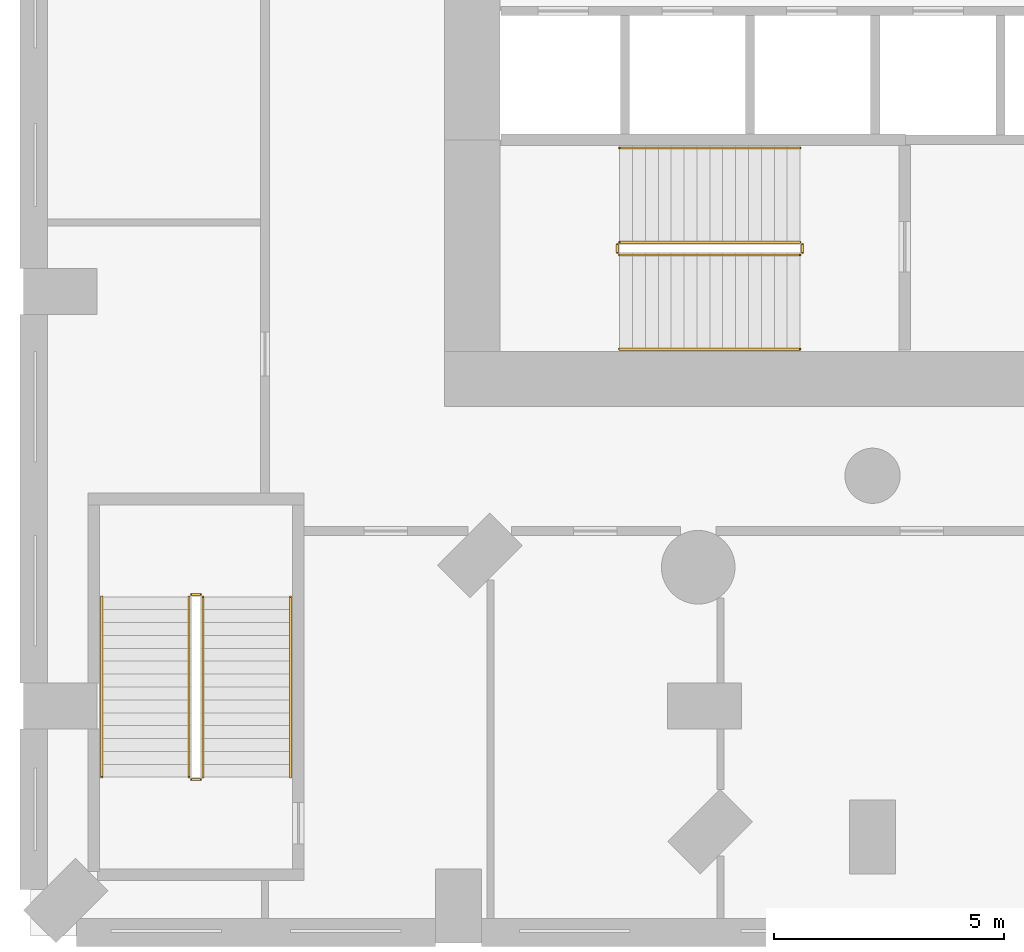
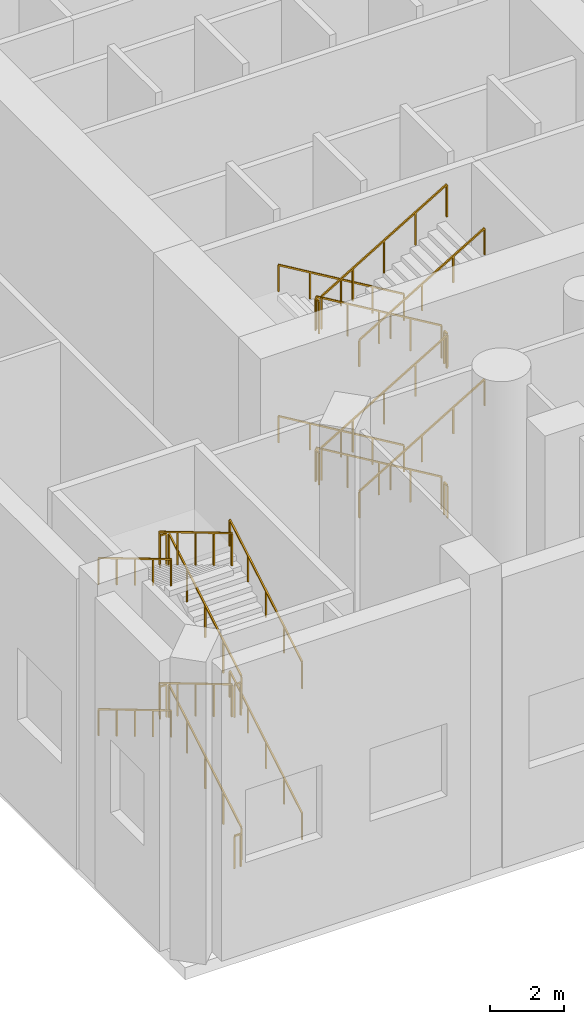
# One storey, part 14 of 17: 24 railings.
"""IFC4 building model written with IfcOpenShell, lengths in metres."""

from ifc_helpers import new_model, si_unit, direction, frame, origin, origin_2d, place, context, subcontext, project, spatial, rectangle, extrude, material, type_object, element, save


model = new_model("IFC4")

# Units and contexts
model_context = context("Model", 3, precision=1e-05, world=origin(), true_north=direction((0.0, 1.0)))
body_context = subcontext(model_context, "Body", "Model", "MODEL_VIEW")
ifc_project = project(units=[si_unit("LENGTHUNIT", "METRE"), si_unit("AREAUNIT", "SQUARE_METRE"), si_unit("VOLUMEUNIT", "CUBIC_METRE"), si_unit("PLANEANGLEUNIT", "RADIAN"), si_unit("MASSUNIT", "GRAM", prefix="KILO")], contexts=[model_context])

# Site, building, storey
site_placement = place(None, origin())
site = spatial("IfcSite", under=ifc_project, at=site_placement, CompositionType="ELEMENT")
building_placement = place(site_placement, origin())
building = spatial("IfcBuilding", under=site, at=building_placement, Name="Cypress Arch Tower", CompositionType="ELEMENT")
storey_placement = place(building_placement, frame((0.0, 0.0, 19.0)))
storey = spatial("IfcBuildingStorey", under=building, at=storey_placement, Name="L02", CompositionType="ELEMENT", Elevation=19.0)

# Railings
ifc_material_1 = material(Name="Black powder-coated steel square bar 48 mm", Category="steel")
railing_type_1 = type_object("IfcRailingType", Name="Stair handrail HR1", PredefinedType="HANDRAIL", material=ifc_material_1)
railing_1_placement = place(storey_placement, frame((-22.27490234375, -10.375, 0.166748046875)))
element("IfcRailing", 1, at=railing_1_placement, inside=storey, type_object=railing_type_1, Name="L02 A stair handrail 1", PredefinedType="HANDRAIL", context=body_context, shape_type="SweptSolid", body=[
    extrude(rectangle(XDim=0.048095703125, YDim=0.048095703125, at=origin_2d()), frame((0.0, 0.0, 0.8759765625), z_axis=(-0.859310244771, 0.0, 0.511454693235), x_axis=(0.0, -1.0, 0.0)), (0.0, 0.0, 1.0), 4.56201171875),
    extrude(rectangle(XDim=0.0419921875, YDim=0.0419921875, at=origin_2d()), origin(), (0.0, 0.0, 1.0), 0.851806640625),
    extrude(rectangle(XDim=0.0419921875, YDim=0.0419921875, at=origin_2d()), frame((-0.97998046875, 0.0, 0.583251953125)), (0.0, 0.0, 1.0), 0.851806640625),
    extrude(rectangle(XDim=0.0419921875, YDim=0.0419921875, at=origin_2d()), frame((-1.9599609375, 0.0, 1.16650390625)), (0.0, 0.0, 1.0), 0.851806640625),
    extrude(rectangle(XDim=0.0419921875, YDim=0.0419921875, at=origin_2d()), frame((-2.940185546875, 0.0, 1.75)), (0.0, 0.0, 1.0), 0.851806640625),
    extrude(rectangle(XDim=0.0419921875, YDim=0.0419921875, at=origin_2d()), frame((-3.920166015625, 0.0, 2.333251953125)), (0.0, 0.0, 1.0), 0.851806640625),
])
railing_2_placement = place(storey_placement, frame((-26.195068359375, -14.75, 2.666748046875)))
element("IfcRailing", 2, at=railing_2_placement, inside=storey, type_object=railing_type_1, Name="L02 A stair handrail 2", PredefinedType="HANDRAIL", context=body_context, shape_type="SweptSolid", body=[
    extrude(rectangle(XDim=0.048095703125, YDim=0.048095703125, at=origin_2d()), frame((0.0, 0.0, 0.8759765625), z_axis=(0.859310244771, 0.0, 0.511454693235), x_axis=(0.0, 1.0, 0.0)), (0.0, 0.0, 1.0), 4.56201171875),
    extrude(rectangle(XDim=0.0419921875, YDim=0.0419921875, at=origin_2d()), origin(), (0.0, 0.0, 1.0), 0.851806640625),
    extrude(rectangle(XDim=0.0419921875, YDim=0.0419921875, at=origin_2d()), frame((0.97998046875, 0.0, 0.583251953125)), (0.0, 0.0, 1.0), 0.851806640625),
    extrude(rectangle(XDim=0.0419921875, YDim=0.0419921875, at=origin_2d()), frame((1.9599609375, 0.0, 1.16650390625)), (0.0, 0.0, 1.0), 0.851806640625),
    extrude(rectangle(XDim=0.0419921875, YDim=0.0419921875, at=origin_2d()), frame((2.940185546875, 0.0, 1.75)), (0.0, 0.0, 1.0), 0.851806640625),
    extrude(rectangle(XDim=0.0419921875, YDim=0.0419921875, at=origin_2d()), frame((3.920166015625, 0.0, 2.333251953125)), (0.0, 0.0, 1.0), 0.851806640625),
])
railing_3_placement = place(storey_placement, frame((-22.27490234375, -10.375, 5.166748046875)))
element("IfcRailing", 3, at=railing_3_placement, inside=storey, type_object=railing_type_1, Name="L02 A stair handrail 3", PredefinedType="HANDRAIL", context=body_context, shape_type="SweptSolid", body=[
    extrude(rectangle(XDim=0.048095703125, YDim=0.048095703125, at=origin_2d()), frame((0.0, 0.0, 0.8759765625), z_axis=(-0.859310244771, 0.0, 0.511454693235), x_axis=(0.0, -1.0, 0.0)), (0.0, 0.0, 1.0), 4.56201171875),
    extrude(rectangle(XDim=0.0419921875, YDim=0.0419921875, at=origin_2d()), origin(), (0.0, 0.0, 1.0), 0.851806640625),
    extrude(rectangle(XDim=0.0419921875, YDim=0.0419921875, at=origin_2d()), frame((-0.97998046875, 0.0, 0.583251953125)), (0.0, 0.0, 1.0), 0.851806640625),
    extrude(rectangle(XDim=0.0419921875, YDim=0.0419921875, at=origin_2d()), frame((-1.9599609375, 0.0, 1.16650390625)), (0.0, 0.0, 1.0), 0.851806640625),
    extrude(rectangle(XDim=0.0419921875, YDim=0.0419921875, at=origin_2d()), frame((-2.940185546875, 0.0, 1.75)), (0.0, 0.0, 1.0), 0.851806640625),
    extrude(rectangle(XDim=0.0419921875, YDim=0.0419921875, at=origin_2d()), frame((-3.920166015625, 0.0, 2.333251953125)), (0.0, 0.0, 1.0), 0.851806640625),
])
railing_4_placement = place(storey_placement, frame((-26.195068359375, -14.75, 7.666748046875)))
element("IfcRailing", 4, at=railing_4_placement, inside=storey, type_object=railing_type_1, Name="L02 A stair handrail 4", PredefinedType="HANDRAIL", context=body_context, shape_type="SweptSolid", body=[
    extrude(rectangle(XDim=0.048095703125, YDim=0.048095703125, at=origin_2d()), frame((0.0, 0.0, 0.8759765625), z_axis=(0.859310244771, 0.0, 0.511454693235), x_axis=(0.0, 1.0, 0.0)), (0.0, 0.0, 1.0), 4.56201171875),
    extrude(rectangle(XDim=0.0419921875, YDim=0.0419921875, at=origin_2d()), origin(), (0.0, 0.0, 1.0), 0.851806640625),
    extrude(rectangle(XDim=0.0419921875, YDim=0.0419921875, at=origin_2d()), frame((0.97998046875, 0.0, 0.583251953125)), (0.0, 0.0, 1.0), 0.851806640625),
    extrude(rectangle(XDim=0.0419921875, YDim=0.0419921875, at=origin_2d()), frame((1.9599609375, 0.0, 1.16650390625)), (0.0, 0.0, 1.0), 0.851806640625),
    extrude(rectangle(XDim=0.0419921875, YDim=0.0419921875, at=origin_2d()), frame((2.940185546875, 0.0, 1.75)), (0.0, 0.0, 1.0), 0.851806640625),
    extrude(rectangle(XDim=0.0419921875, YDim=0.0419921875, at=origin_2d()), frame((3.920166015625, 0.0, 2.333251953125)), (0.0, 0.0, 1.0), 0.851806640625),
])
railing_5_placement = place(storey_placement, frame((-33.35009765625, -24.050048828125, 0.166748046875)))
element("IfcRailing", 5, at=railing_5_placement, inside=storey, type_object=railing_type_1, Name="L02 P1 stair handrail 1", PredefinedType="HANDRAIL", context=body_context, shape_type="SweptSolid", body=[
    extrude(rectangle(XDim=0.048095703125, YDim=0.048095703125, at=origin_2d()), frame((0.0, 0.0, 0.8759765625), z_axis=(0.0, 0.859310244771, 0.511454693235), x_axis=(-1.0, 0.0, 0.0)), (0.0, 0.0, 1.0), 4.56201171875),
    extrude(rectangle(XDim=0.0419921875, YDim=0.0419921875, at=origin_2d()), origin(), (0.0, 0.0, 1.0), 0.851806640625),
    extrude(rectangle(XDim=0.0419921875, YDim=0.0419921875, at=origin_2d()), frame((0.0, 0.97998046875, 0.583251953125)), (0.0, 0.0, 1.0), 0.851806640625),
    extrude(rectangle(XDim=0.0419921875, YDim=0.0419921875, at=origin_2d()), frame((0.0, 1.9599609375, 1.16650390625)), (0.0, 0.0, 1.0), 0.851806640625),
    extrude(rectangle(XDim=0.0419921875, YDim=0.0419921875, at=origin_2d()), frame((0.0, 2.940185546875, 1.75)), (0.0, 0.0, 1.0), 0.851806640625),
    extrude(rectangle(XDim=0.0419921875, YDim=0.0419921875, at=origin_2d()), frame((0.0, 3.920166015625, 2.333251953125)), (0.0, 0.0, 1.0), 0.851806640625),
])
railing_6_placement = place(storey_placement, frame((-37.449951171875, -20.1298828125, 2.666748046875)))
element("IfcRailing", 6, at=railing_6_placement, inside=storey, type_object=railing_type_1, Name="L02 P1 stair handrail 2", PredefinedType="HANDRAIL", context=body_context, shape_type="SweptSolid", body=[
    extrude(rectangle(XDim=0.048095703125, YDim=0.048095703125, at=origin_2d()), frame((0.0, 0.0, 0.8759765625), z_axis=(0.0, -0.859310244771, 0.511454693235), x_axis=(1.0, 0.0, 0.0)), (0.0, 0.0, 1.0), 4.56201171875),
    extrude(rectangle(XDim=0.0419921875, YDim=0.0419921875, at=origin_2d()), origin(), (0.0, 0.0, 1.0), 0.851806640625),
    extrude(rectangle(XDim=0.0419921875, YDim=0.0419921875, at=origin_2d()), frame((0.0, -0.97998046875, 0.583251953125)), (0.0, 0.0, 1.0), 0.851806640625),
    extrude(rectangle(XDim=0.0419921875, YDim=0.0419921875, at=origin_2d()), frame((0.0, -1.9599609375, 1.16650390625)), (0.0, 0.0, 1.0), 0.851806640625),
    extrude(rectangle(XDim=0.0419921875, YDim=0.0419921875, at=origin_2d()), frame((0.0, -2.940185546875, 1.75)), (0.0, 0.0, 1.0), 0.851806640625),
    extrude(rectangle(XDim=0.0419921875, YDim=0.0419921875, at=origin_2d()), frame((0.0, -3.920166015625, 2.333251953125)), (0.0, 0.0, 1.0), 0.851806640625),
])
railing_7_placement = place(storey_placement, frame((-33.35009765625, -24.050048828125, 5.166748046875)))
element("IfcRailing", 7, at=railing_7_placement, inside=storey, type_object=railing_type_1, Name="L02 P1 stair handrail 3", PredefinedType="HANDRAIL", context=body_context, shape_type="SweptSolid", body=[
    extrude(rectangle(XDim=0.048095703125, YDim=0.048095703125, at=origin_2d()), frame((0.0, 0.0, 0.8759765625), z_axis=(0.0, 0.859310244771, 0.511454693235), x_axis=(-1.0, 0.0, 0.0)), (0.0, 0.0, 1.0), 4.56201171875),
    extrude(rectangle(XDim=0.0419921875, YDim=0.0419921875, at=origin_2d()), origin(), (0.0, 0.0, 1.0), 0.851806640625),
    extrude(rectangle(XDim=0.0419921875, YDim=0.0419921875, at=origin_2d()), frame((0.0, 0.97998046875, 0.583251953125)), (0.0, 0.0, 1.0), 0.851806640625),
    extrude(rectangle(XDim=0.0419921875, YDim=0.0419921875, at=origin_2d()), frame((0.0, 1.9599609375, 1.16650390625)), (0.0, 0.0, 1.0), 0.851806640625),
    extrude(rectangle(XDim=0.0419921875, YDim=0.0419921875, at=origin_2d()), frame((0.0, 2.940185546875, 1.75)), (0.0, 0.0, 1.0), 0.851806640625),
    extrude(rectangle(XDim=0.0419921875, YDim=0.0419921875, at=origin_2d()), frame((0.0, 3.920166015625, 2.333251953125)), (0.0, 0.0, 1.0), 0.851806640625),
])
railing_8_placement = place(storey_placement, frame((-37.449951171875, -20.1298828125, 7.666748046875)))
element("IfcRailing", 8, at=railing_8_placement, inside=storey, type_object=railing_type_1, Name="L02 P1 stair handrail 4", PredefinedType="HANDRAIL", context=body_context, shape_type="SweptSolid", body=[
    extrude(rectangle(XDim=0.048095703125, YDim=0.048095703125, at=origin_2d()), frame((0.0, 0.0, 0.8759765625), z_axis=(0.0, -0.859310244771, 0.511454693235), x_axis=(1.0, 0.0, 0.0)), (0.0, 0.0, 1.0), 4.56201171875),
    extrude(rectangle(XDim=0.0419921875, YDim=0.0419921875, at=origin_2d()), origin(), (0.0, 0.0, 1.0), 0.851806640625),
    extrude(rectangle(XDim=0.0419921875, YDim=0.0419921875, at=origin_2d()), frame((0.0, -0.97998046875, 0.583251953125)), (0.0, 0.0, 1.0), 0.851806640625),
    extrude(rectangle(XDim=0.0419921875, YDim=0.0419921875, at=origin_2d()), frame((0.0, -1.9599609375, 1.16650390625)), (0.0, 0.0, 1.0), 0.851806640625),
    extrude(rectangle(XDim=0.0419921875, YDim=0.0419921875, at=origin_2d()), frame((0.0, -2.940185546875, 1.75)), (0.0, 0.0, 1.0), 0.851806640625),
    extrude(rectangle(XDim=0.0419921875, YDim=0.0419921875, at=origin_2d()), frame((0.0, -3.920166015625, 2.333251953125)), (0.0, 0.0, 1.0), 0.851806640625),
])
ifc_material_2 = material(Name="Black powder-coated steel balusters", Category="steel")
railing_type_2 = type_object("IfcRailingType", Name="Stair well guard G1", PredefinedType="GUARDRAIL", material=ifc_material_2)
railing_9_placement = place(storey_placement, frame((-22.27490234375, -12.425048828125, 0.166748046875)))
element("IfcRailing", 9, at=railing_9_placement, inside=storey, type_object=railing_type_2, Name="L02 A stair guard 1", PredefinedType="GUARDRAIL", context=body_context, shape_type="SweptSolid", body=[
    extrude(rectangle(XDim=0.048095703125, YDim=0.048095703125, at=origin_2d()), frame((0.0, 0.0, 1.076171875), z_axis=(-0.859310244771, 0.0, 0.511454693235), x_axis=(0.0, -1.0, 0.0)), (0.0, 0.0, 1.0), 4.56201171875),
    extrude(rectangle(XDim=0.0419921875, YDim=0.0419921875, at=origin_2d()), origin(), (0.0, 0.0, 1.0), 1.052001953125),
    extrude(rectangle(XDim=0.0419921875, YDim=0.0419921875, at=origin_2d()), frame((-0.97998046875, 0.0, 0.583251953125)), (0.0, 0.0, 1.0), 1.052001953125),
    extrude(rectangle(XDim=0.0419921875, YDim=0.0419921875, at=origin_2d()), frame((-1.9599609375, 0.0, 1.16650390625)), (0.0, 0.0, 1.0), 1.052001953125),
    extrude(rectangle(XDim=0.0419921875, YDim=0.0419921875, at=origin_2d()), frame((-2.940185546875, 0.0, 1.75)), (0.0, 0.0, 1.0), 1.052001953125),
    extrude(rectangle(XDim=0.0419921875, YDim=0.0419921875, at=origin_2d()), frame((-3.920166015625, 0.0, 2.333251953125)), (0.0, 0.0, 1.0), 1.052001953125),
])
railing_10_placement = place(storey_placement, frame((-26.2451171875, -12.47509765625, 2.5)))
element("IfcRailing", 10, at=railing_10_placement, inside=storey, type_object=railing_type_2, Name="L02 A stair guard 2", PredefinedType="GUARDRAIL", context=body_context, shape_type="SweptSolid", body=[
    extrude(rectangle(XDim=0.048095703125, YDim=0.048095703125, at=origin_2d()), frame((0.0, 0.0, 1.076171875), z_axis=(0.0, -1.0, 0.0), x_axis=(1.0, 0.0, 0.0)), (0.0, 0.0, 1.0), 0.1748046875),
    extrude(rectangle(XDim=0.0419921875, YDim=0.0419921875, at=origin_2d()), origin(), (0.0, 0.0, 1.0), 1.052001953125),
    extrude(rectangle(XDim=0.0419921875, YDim=0.0419921875, at=origin_2d()), frame((0.0, -0.1748046875, 0.0)), (0.0, 0.0, 1.0), 1.052001953125),
])
railing_11_placement = place(storey_placement, frame((-26.195068359375, -12.699951171875, 2.666748046875)))
element("IfcRailing", 11, at=railing_11_placement, inside=storey, type_object=railing_type_2, Name="L02 A stair guard 3", PredefinedType="GUARDRAIL", context=body_context, shape_type="SweptSolid", body=[
    extrude(rectangle(XDim=0.048095703125, YDim=0.048095703125, at=origin_2d()), frame((0.0, 0.0, 1.076171875), z_axis=(0.859310244771, 0.0, 0.511454693235), x_axis=(0.0, 1.0, 0.0)), (0.0, 0.0, 1.0), 4.56201171875),
    extrude(rectangle(XDim=0.0419921875, YDim=0.0419921875, at=origin_2d()), origin(), (0.0, 0.0, 1.0), 1.052001953125),
    extrude(rectangle(XDim=0.0419921875, YDim=0.0419921875, at=origin_2d()), frame((0.97998046875, 0.0, 0.583251953125)), (0.0, 0.0, 1.0), 1.052001953125),
    extrude(rectangle(XDim=0.0419921875, YDim=0.0419921875, at=origin_2d()), frame((1.9599609375, 0.0, 1.16650390625)), (0.0, 0.0, 1.0), 1.052001953125),
    extrude(rectangle(XDim=0.0419921875, YDim=0.0419921875, at=origin_2d()), frame((2.940185546875, 0.0, 1.75)), (0.0, 0.0, 1.0), 1.052001953125),
    extrude(rectangle(XDim=0.0419921875, YDim=0.0419921875, at=origin_2d()), frame((3.920166015625, 0.0, 2.333251953125)), (0.0, 0.0, 1.0), 1.052001953125),
])
railing_12_placement = place(storey_placement, frame((-22.22509765625, -12.47509765625, 5.0)))
element("IfcRailing", 12, at=railing_12_placement, inside=storey, type_object=railing_type_2, Name="L02 A stair guard 4", PredefinedType="GUARDRAIL", context=body_context, shape_type="SweptSolid", body=[
    extrude(rectangle(XDim=0.048095703125, YDim=0.048095703125, at=origin_2d()), frame((0.0, 0.0, 1.076171875), z_axis=(0.0, -1.0, 0.0), x_axis=(1.0, 0.0, 0.0)), (0.0, 0.0, 1.0), 0.1748046875),
    extrude(rectangle(XDim=0.0419921875, YDim=0.0419921875, at=origin_2d()), origin(), (0.0, 0.0, 1.0), 1.052001953125),
    extrude(rectangle(XDim=0.0419921875, YDim=0.0419921875, at=origin_2d()), frame((0.0, -0.1748046875, 0.0)), (0.0, 0.0, 1.0), 1.052001953125),
])
railing_13_placement = place(storey_placement, frame((-22.27490234375, -12.425048828125, 5.166748046875)))
element("IfcRailing", 13, at=railing_13_placement, inside=storey, type_object=railing_type_2, Name="L02 A stair guard 5", PredefinedType="GUARDRAIL", context=body_context, shape_type="SweptSolid", body=[
    extrude(rectangle(XDim=0.048095703125, YDim=0.048095703125, at=origin_2d()), frame((0.0, 0.0, 1.076171875), z_axis=(-0.859310244771, 0.0, 0.511454693235), x_axis=(0.0, -1.0, 0.0)), (0.0, 0.0, 1.0), 4.56201171875),
    extrude(rectangle(XDim=0.0419921875, YDim=0.0419921875, at=origin_2d()), origin(), (0.0, 0.0, 1.0), 1.052001953125),
    extrude(rectangle(XDim=0.0419921875, YDim=0.0419921875, at=origin_2d()), frame((-0.97998046875, 0.0, 0.583251953125)), (0.0, 0.0, 1.0), 1.052001953125),
    extrude(rectangle(XDim=0.0419921875, YDim=0.0419921875, at=origin_2d()), frame((-1.9599609375, 0.0, 1.16650390625)), (0.0, 0.0, 1.0), 1.052001953125),
    extrude(rectangle(XDim=0.0419921875, YDim=0.0419921875, at=origin_2d()), frame((-2.940185546875, 0.0, 1.75)), (0.0, 0.0, 1.0), 1.052001953125),
    extrude(rectangle(XDim=0.0419921875, YDim=0.0419921875, at=origin_2d()), frame((-3.920166015625, 0.0, 2.333251953125)), (0.0, 0.0, 1.0), 1.052001953125),
])
railing_14_placement = place(storey_placement, frame((-26.2451171875, -12.47509765625, 7.5)))
element("IfcRailing", 14, at=railing_14_placement, inside=storey, type_object=railing_type_2, Name="L02 A stair guard 6", PredefinedType="GUARDRAIL", context=body_context, shape_type="SweptSolid", body=[
    extrude(rectangle(XDim=0.048095703125, YDim=0.048095703125, at=origin_2d()), frame((0.0, 0.0, 1.076171875), z_axis=(0.0, -1.0, 0.0), x_axis=(1.0, 0.0, 0.0)), (0.0, 0.0, 1.0), 0.1748046875),
    extrude(rectangle(XDim=0.0419921875, YDim=0.0419921875, at=origin_2d()), origin(), (0.0, 0.0, 1.0), 1.052001953125),
    extrude(rectangle(XDim=0.0419921875, YDim=0.0419921875, at=origin_2d()), frame((0.0, -0.1748046875, 0.0)), (0.0, 0.0, 1.0), 1.052001953125),
])
railing_15_placement = place(storey_placement, frame((-26.195068359375, -12.699951171875, 7.666748046875)))
element("IfcRailing", 15, at=railing_15_placement, inside=storey, type_object=railing_type_2, Name="L02 A stair guard 7", PredefinedType="GUARDRAIL", context=body_context, shape_type="SweptSolid", body=[
    extrude(rectangle(XDim=0.048095703125, YDim=0.048095703125, at=origin_2d()), frame((0.0, 0.0, 1.076171875), z_axis=(0.859310244771, 0.0, 0.511454693235), x_axis=(0.0, 1.0, 0.0)), (0.0, 0.0, 1.0), 4.56201171875),
    extrude(rectangle(XDim=0.0419921875, YDim=0.0419921875, at=origin_2d()), origin(), (0.0, 0.0, 1.0), 1.052001953125),
    extrude(rectangle(XDim=0.0419921875, YDim=0.0419921875, at=origin_2d()), frame((0.97998046875, 0.0, 0.583251953125)), (0.0, 0.0, 1.0), 1.052001953125),
    extrude(rectangle(XDim=0.0419921875, YDim=0.0419921875, at=origin_2d()), frame((1.9599609375, 0.0, 1.16650390625)), (0.0, 0.0, 1.0), 1.052001953125),
    extrude(rectangle(XDim=0.0419921875, YDim=0.0419921875, at=origin_2d()), frame((2.940185546875, 0.0, 1.75)), (0.0, 0.0, 1.0), 1.052001953125),
    extrude(rectangle(XDim=0.0419921875, YDim=0.0419921875, at=origin_2d()), frame((3.920166015625, 0.0, 2.333251953125)), (0.0, 0.0, 1.0), 1.052001953125),
])
railing_16_placement = place(storey_placement, frame((-22.22509765625, -12.47509765625, 0.0)))
element("IfcRailing", 16, at=railing_16_placement, inside=storey, type_object=railing_type_2, Name="L02 A stair guard 8", PredefinedType="GUARDRAIL", context=body_context, shape_type="SweptSolid", body=[
    extrude(rectangle(XDim=0.048095703125, YDim=0.048095703125, at=origin_2d()), frame((0.0, 0.0, 1.076171875), z_axis=(0.0, -1.0, 0.0), x_axis=(1.0, 0.0, 0.0)), (0.0, 0.0, 1.0), 0.1748046875),
    extrude(rectangle(XDim=0.0419921875, YDim=0.0419921875, at=origin_2d()), origin(), (0.0, 0.0, 1.0), 1.052001953125),
    extrude(rectangle(XDim=0.0419921875, YDim=0.0419921875, at=origin_2d()), frame((0.0, -0.1748046875, 0.0)), (0.0, 0.0, 1.0), 1.052001953125),
])
railing_17_placement = place(storey_placement, frame((-35.25, -24.050048828125, 0.166748046875)))
element("IfcRailing", 17, at=railing_17_placement, inside=storey, type_object=railing_type_2, Name="L02 P1 stair guard 1", PredefinedType="GUARDRAIL", context=body_context, shape_type="SweptSolid", body=[
    extrude(rectangle(XDim=0.048095703125, YDim=0.048095703125, at=origin_2d()), frame((0.0, 0.0, 1.076171875), z_axis=(0.0, 0.859310244771, 0.511454693235), x_axis=(-1.0, 0.0, 0.0)), (0.0, 0.0, 1.0), 4.56201171875),
    extrude(rectangle(XDim=0.0419921875, YDim=0.0419921875, at=origin_2d()), origin(), (0.0, 0.0, 1.0), 1.052001953125),
    extrude(rectangle(XDim=0.0419921875, YDim=0.0419921875, at=origin_2d()), frame((0.0, 0.97998046875, 0.583251953125)), (0.0, 0.0, 1.0), 1.052001953125),
    extrude(rectangle(XDim=0.0419921875, YDim=0.0419921875, at=origin_2d()), frame((0.0, 1.9599609375, 1.16650390625)), (0.0, 0.0, 1.0), 1.052001953125),
    extrude(rectangle(XDim=0.0419921875, YDim=0.0419921875, at=origin_2d()), frame((0.0, 2.940185546875, 1.75)), (0.0, 0.0, 1.0), 1.052001953125),
    extrude(rectangle(XDim=0.0419921875, YDim=0.0419921875, at=origin_2d()), frame((0.0, 3.920166015625, 2.333251953125)), (0.0, 0.0, 1.0), 1.052001953125),
])
railing_18_placement = place(storey_placement, frame((-35.300048828125, -20.080078125, 2.5)))
element("IfcRailing", 18, at=railing_18_placement, inside=storey, type_object=railing_type_2, Name="L02 P1 stair guard 2", PredefinedType="GUARDRAIL", context=body_context, shape_type="SweptSolid", body=[
    extrude(rectangle(XDim=0.048095703125, YDim=0.048095703125, at=origin_2d()), frame((0.0, 0.0, 1.076171875), z_axis=(-1.0, 0.0, 0.0), x_axis=(0.0, -1.0, 0.0)), (0.0, 0.0, 1.0), 0.199951171875),
    extrude(rectangle(XDim=0.0419921875, YDim=0.0419921875, at=origin_2d()), origin(), (0.0, 0.0, 1.0), 1.052001953125),
    extrude(rectangle(XDim=0.0419921875, YDim=0.0419921875, at=origin_2d()), frame((-0.199951171875, 0.0, 0.0)), (0.0, 0.0, 1.0), 1.052001953125),
])
railing_19_placement = place(storey_placement, frame((-35.550048828125, -20.1298828125, 2.666748046875)))
element("IfcRailing", 19, at=railing_19_placement, inside=storey, type_object=railing_type_2, Name="L02 P1 stair guard 3", PredefinedType="GUARDRAIL", context=body_context, shape_type="SweptSolid", body=[
    extrude(rectangle(XDim=0.048095703125, YDim=0.048095703125, at=origin_2d()), frame((0.0, 0.0, 1.076171875), z_axis=(0.0, -0.859310244771, 0.511454693235), x_axis=(1.0, 0.0, 0.0)), (0.0, 0.0, 1.0), 4.56201171875),
    extrude(rectangle(XDim=0.0419921875, YDim=0.0419921875, at=origin_2d()), origin(), (0.0, 0.0, 1.0), 1.052001953125),
    extrude(rectangle(XDim=0.0419921875, YDim=0.0419921875, at=origin_2d()), frame((0.0, -0.97998046875, 0.583251953125)), (0.0, 0.0, 1.0), 1.052001953125),
    extrude(rectangle(XDim=0.0419921875, YDim=0.0419921875, at=origin_2d()), frame((0.0, -1.9599609375, 1.16650390625)), (0.0, 0.0, 1.0), 1.052001953125),
    extrude(rectangle(XDim=0.0419921875, YDim=0.0419921875, at=origin_2d()), frame((0.0, -2.940185546875, 1.75)), (0.0, 0.0, 1.0), 1.052001953125),
    extrude(rectangle(XDim=0.0419921875, YDim=0.0419921875, at=origin_2d()), frame((0.0, -3.920166015625, 2.333251953125)), (0.0, 0.0, 1.0), 1.052001953125),
])
railing_20_placement = place(storey_placement, frame((-35.300048828125, -24.10009765625, 5.0)))
element("IfcRailing", 20, at=railing_20_placement, inside=storey, type_object=railing_type_2, Name="L02 P1 stair guard 4", PredefinedType="GUARDRAIL", context=body_context, shape_type="SweptSolid", body=[
    extrude(rectangle(XDim=0.048095703125, YDim=0.048095703125, at=origin_2d()), frame((0.0, 0.0, 1.076171875), z_axis=(-1.0, 0.0, 0.0), x_axis=(0.0, -1.0, 0.0)), (0.0, 0.0, 1.0), 0.199951171875),
    extrude(rectangle(XDim=0.0419921875, YDim=0.0419921875, at=origin_2d()), origin(), (0.0, 0.0, 1.0), 1.052001953125),
    extrude(rectangle(XDim=0.0419921875, YDim=0.0419921875, at=origin_2d()), frame((-0.199951171875, 0.0, 0.0)), (0.0, 0.0, 1.0), 1.052001953125),
])
railing_21_placement = place(storey_placement, frame((-35.25, -24.050048828125, 5.166748046875)))
element("IfcRailing", 21, at=railing_21_placement, inside=storey, type_object=railing_type_2, Name="L02 P1 stair guard 5", PredefinedType="GUARDRAIL", context=body_context, shape_type="SweptSolid", body=[
    extrude(rectangle(XDim=0.048095703125, YDim=0.048095703125, at=origin_2d()), frame((0.0, 0.0, 1.076171875), z_axis=(0.0, 0.859310244771, 0.511454693235), x_axis=(-1.0, 0.0, 0.0)), (0.0, 0.0, 1.0), 4.56201171875),
    extrude(rectangle(XDim=0.0419921875, YDim=0.0419921875, at=origin_2d()), origin(), (0.0, 0.0, 1.0), 1.052001953125),
    extrude(rectangle(XDim=0.0419921875, YDim=0.0419921875, at=origin_2d()), frame((0.0, 0.97998046875, 0.583251953125)), (0.0, 0.0, 1.0), 1.052001953125),
    extrude(rectangle(XDim=0.0419921875, YDim=0.0419921875, at=origin_2d()), frame((0.0, 1.9599609375, 1.16650390625)), (0.0, 0.0, 1.0), 1.052001953125),
    extrude(rectangle(XDim=0.0419921875, YDim=0.0419921875, at=origin_2d()), frame((0.0, 2.940185546875, 1.75)), (0.0, 0.0, 1.0), 1.052001953125),
    extrude(rectangle(XDim=0.0419921875, YDim=0.0419921875, at=origin_2d()), frame((0.0, 3.920166015625, 2.333251953125)), (0.0, 0.0, 1.0), 1.052001953125),
])
railing_22_placement = place(storey_placement, frame((-35.300048828125, -20.080078125, 7.5)))
element("IfcRailing", 22, at=railing_22_placement, inside=storey, type_object=railing_type_2, Name="L02 P1 stair guard 6", PredefinedType="GUARDRAIL", context=body_context, shape_type="SweptSolid", body=[
    extrude(rectangle(XDim=0.048095703125, YDim=0.048095703125, at=origin_2d()), frame((0.0, 0.0, 1.076171875), z_axis=(-1.0, 0.0, 0.0), x_axis=(0.0, -1.0, 0.0)), (0.0, 0.0, 1.0), 0.199951171875),
    extrude(rectangle(XDim=0.0419921875, YDim=0.0419921875, at=origin_2d()), origin(), (0.0, 0.0, 1.0), 1.052001953125),
    extrude(rectangle(XDim=0.0419921875, YDim=0.0419921875, at=origin_2d()), frame((-0.199951171875, 0.0, 0.0)), (0.0, 0.0, 1.0), 1.052001953125),
])
railing_23_placement = place(storey_placement, frame((-35.550048828125, -20.1298828125, 7.666748046875)))
element("IfcRailing", 23, at=railing_23_placement, inside=storey, type_object=railing_type_2, Name="L02 P1 stair guard 7", PredefinedType="GUARDRAIL", context=body_context, shape_type="SweptSolid", body=[
    extrude(rectangle(XDim=0.048095703125, YDim=0.048095703125, at=origin_2d()), frame((0.0, 0.0, 1.076171875), z_axis=(0.0, -0.859310244771, 0.511454693235), x_axis=(1.0, 0.0, 0.0)), (0.0, 0.0, 1.0), 4.56201171875),
    extrude(rectangle(XDim=0.0419921875, YDim=0.0419921875, at=origin_2d()), origin(), (0.0, 0.0, 1.0), 1.052001953125),
    extrude(rectangle(XDim=0.0419921875, YDim=0.0419921875, at=origin_2d()), frame((0.0, -0.97998046875, 0.583251953125)), (0.0, 0.0, 1.0), 1.052001953125),
    extrude(rectangle(XDim=0.0419921875, YDim=0.0419921875, at=origin_2d()), frame((0.0, -1.9599609375, 1.16650390625)), (0.0, 0.0, 1.0), 1.052001953125),
    extrude(rectangle(XDim=0.0419921875, YDim=0.0419921875, at=origin_2d()), frame((0.0, -2.940185546875, 1.75)), (0.0, 0.0, 1.0), 1.052001953125),
    extrude(rectangle(XDim=0.0419921875, YDim=0.0419921875, at=origin_2d()), frame((0.0, -3.920166015625, 2.333251953125)), (0.0, 0.0, 1.0), 1.052001953125),
])
railing_24_placement = place(storey_placement, frame((-35.300048828125, -24.10009765625, 0.0)))
element("IfcRailing", 24, at=railing_24_placement, inside=storey, type_object=railing_type_2, Name="L02 P1 stair guard 8", PredefinedType="GUARDRAIL", context=body_context, shape_type="SweptSolid", body=[
    extrude(rectangle(XDim=0.048095703125, YDim=0.048095703125, at=origin_2d()), frame((0.0, 0.0, 1.076171875), z_axis=(-1.0, 0.0, 0.0), x_axis=(0.0, -1.0, 0.0)), (0.0, 0.0, 1.0), 0.199951171875),
    extrude(rectangle(XDim=0.0419921875, YDim=0.0419921875, at=origin_2d()), origin(), (0.0, 0.0, 1.0), 1.052001953125),
    extrude(rectangle(XDim=0.0419921875, YDim=0.0419921875, at=origin_2d()), frame((-0.199951171875, 0.0, 0.0)), (0.0, 0.0, 1.0), 1.052001953125),
])

save(model, "model.ifc")
